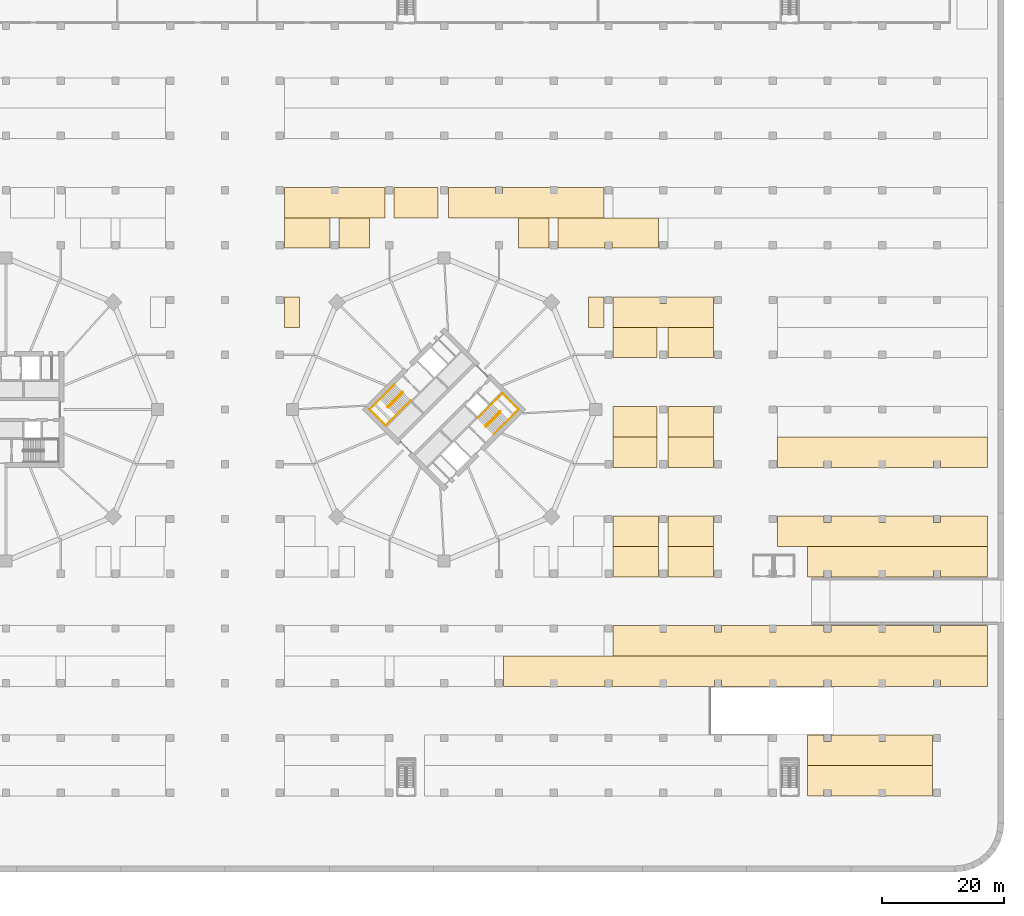
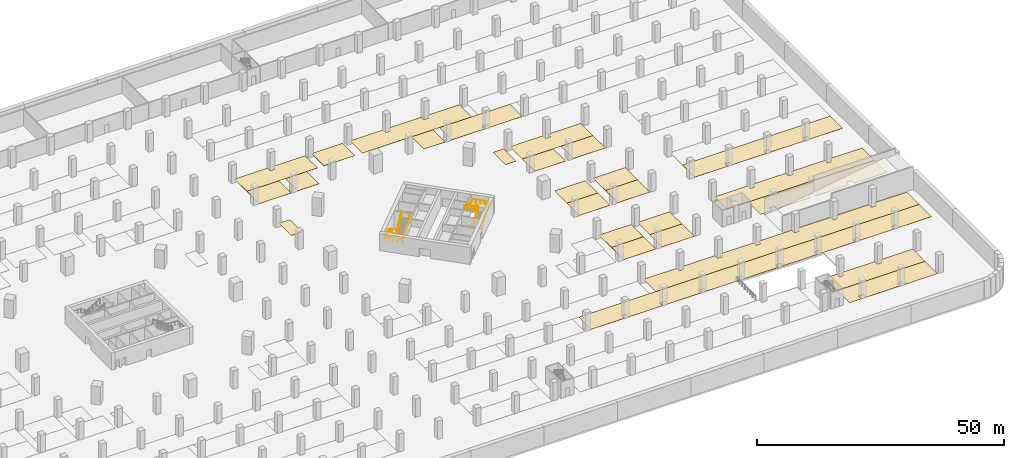
# One storey, part 29 of 34: 27 coverings, 4 railings.
"""IFC4 building model written with IfcOpenShell, lengths in metres."""

from ifc_helpers import new_model, si_unit, direction, frame, origin, origin_2d, place, context, subcontext, project, spatial, polyline, circle, outline, extrude, material, layer, layer_set, type_object, element, save


model = new_model("IFC4")

# Units and contexts
model_context = context("Model", 3, precision=1e-05, world=origin(), true_north=direction((0.0, 1.0)))
body_context = subcontext(model_context, "Body", "Model", "MODEL_VIEW")
ifc_project = project(units=[si_unit("LENGTHUNIT", "METRE"), si_unit("AREAUNIT", "SQUARE_METRE"), si_unit("VOLUMEUNIT", "CUBIC_METRE"), si_unit("PLANEANGLEUNIT", "RADIAN"), si_unit("MASSUNIT", "GRAM", prefix="KILO")], contexts=[model_context])

# Site, building, storey
site_placement = place(None, origin())
site = spatial("IfcSite", under=ifc_project, at=site_placement, CompositionType="ELEMENT")
building_placement = place(site_placement, origin())
building = spatial("IfcBuilding", under=site, at=building_placement, Name="Ogive Gate Towers", CompositionType="ELEMENT")
storey_placement = place(building_placement, frame((0.0, 0.0, -4.5)))
storey = spatial("IfcBuildingStorey", under=building, at=storey_placement, Name="B1", CompositionType="ELEMENT", Elevation=-4.5)

# Coverings
ifc_material_1 = material(Name="Painted floor marking")
ifc_layer_1 = layer(ifc_material_1, 0.02001953125)
ifc_layer_set_1 = layer_set([ifc_layer_1], Name="Accessible bay marking")
covering_type_1 = type_object("IfcCoveringType", Name="Accessible bay marking", PredefinedType="FLOORING", material=ifc_layer_set_1)
covering_1_placement = place(storey_placement, origin())
element("IfcCovering", 1, at=covering_1_placement, inside=storey, type_object=covering_type_1, Name="Accessible parking bays B1-076 to B1-077", PredefinedType="FLOORING", context=body_context, shape_type="SweptSolid", body=[
    extrude(outline(polyline([(70.949951171875, 13.5), (70.949951171875, 8.5), (63.75, 8.5), (63.75, 13.5), (70.949951171875, 13.5)])), origin(), (0.0, 0.0, 1.0), 0.02001953125),
])
covering_2_placement = place(storey_placement, origin())
element("IfcCovering", 2, at=covering_2_placement, inside=storey, type_object=covering_type_1, Name="Accessible parking bays B1-189 to B1-190", PredefinedType="FLOORING", context=body_context, shape_type="SweptSolid", body=[
    extrude(outline(polyline([(70.949951171875, -4.5), (70.949951171875, -9.5), (63.75, -9.5), (63.75, -4.5), (70.949951171875, -4.5)])), origin(), (0.0, 0.0, 1.0), 0.02001953125),
])
covering_3_placement = place(storey_placement, origin())
element("IfcCovering", 3, at=covering_3_placement, inside=storey, type_object=covering_type_1, Name="Accessible parking bays B1-454 to B1-455", PredefinedType="FLOORING", context=body_context, shape_type="SweptSolid", body=[
    extrude(outline(polyline([(70.949951171875, 0.5), (70.949951171875, -4.5), (63.75, -4.5), (63.75, 0.5), (70.949951171875, 0.5)])), origin(), (0.0, 0.0, 1.0), 0.02001953125),
])
covering_4_placement = place(storey_placement, origin())
element("IfcCovering", 4, at=covering_4_placement, inside=storey, type_object=covering_type_1, Name="Accessible parking bays B1-514 to B1-515", PredefinedType="FLOORING", context=body_context, shape_type="SweptSolid", body=[
    extrude(outline(polyline([(34.949951171875, 31.5), (27.75, 31.5), (27.75, 36.5), (34.949951171875, 36.5), (34.949951171875, 31.5)])), origin(), (0.0, 0.0, 1.0), 0.02001953125),
])
ifc_layer_2 = layer(ifc_material_1, 0.02001953125)
ifc_layer_set_2 = layer_set([ifc_layer_2], Name="Charging bay marking")
covering_type_2 = type_object("IfcCoveringType", Name="Charging bay marking", PredefinedType="FLOORING", material=ifc_layer_set_2)
covering_5_placement = place(storey_placement, origin())
element("IfcCovering", 5, at=covering_5_placement, inside=storey, type_object=covering_type_2, Name="Charging bays B1-028 to B1-030", PredefinedType="FLOORING", context=body_context, shape_type="SweptSolid", body=[
    extrude(outline(polyline([(17.25, 26.5), (9.75, 26.5), (9.75, 31.5), (17.25, 31.5), (17.25, 26.5)])), origin(), (0.0, 0.0, 1.0), 0.02001953125),
])
covering_6_placement = place(storey_placement, origin())
element("IfcCovering", 6, at=covering_6_placement, inside=storey, type_object=covering_type_2, Name="Charging bays B1-035 to B1-040", PredefinedType="FLOORING", context=body_context, shape_type="SweptSolid", body=[
    extrude(outline(polyline([(54.75, 31.5), (71.25, 31.5), (71.25, 26.5), (63.550048828125, 26.5), (63.550048828125, 27.550048828125), (62.449951171875, 27.550048828125), (62.449951171875, 26.5), (54.75, 26.5), (54.75, 31.5)])), origin(), (0.0, 0.0, 1.0), 0.02001953125),
])
covering_7_placement = place(storey_placement, origin())
element("IfcCovering", 7, at=covering_7_placement, inside=storey, type_object=covering_type_2, Name="Charging bays B1-078 to B1-080", PredefinedType="FLOORING", context=body_context, shape_type="SweptSolid", body=[
    extrude(outline(polyline([(80.25, 13.5), (80.25, 8.5), (72.75, 8.5), (72.75, 13.5), (80.25, 13.5)])), origin(), (0.0, 0.0, 1.0), 0.02001953125),
])
covering_8_placement = place(storey_placement, origin())
element("IfcCovering", 8, at=covering_8_placement, inside=storey, type_object=covering_type_2, Name="Charging bays B1-191 to B1-193", PredefinedType="FLOORING", context=body_context, shape_type="SweptSolid", body=[
    extrude(outline(polyline([(80.25, -4.5), (80.25, -9.5), (72.75, -9.5), (72.75, -4.5), (80.25, -4.5)])), origin(), (0.0, 0.0, 1.0), 0.02001953125),
])
covering_9_placement = place(storey_placement, origin())
element("IfcCovering", 9, at=covering_9_placement, inside=storey, type_object=covering_type_2, Name="Charging bays B1-236 to B1-238", PredefinedType="FLOORING", context=body_context, shape_type="SweptSolid", body=[
    extrude(outline(polyline([(71.25, -22.5), (71.25, -27.5), (63.75, -27.5), (63.75, -22.5), (71.25, -22.5)])), origin(), (0.0, 0.0, 1.0), 0.02001953125),
])
covering_10_placement = place(storey_placement, origin())
element("IfcCovering", 10, at=covering_10_placement, inside=storey, type_object=covering_type_2, Name="Charging bays B1-419 to B1-424", PredefinedType="FLOORING", context=body_context, shape_type="SweptSolid", body=[
    extrude(outline(polyline([(63.75, 18.5), (71.449951171875, 18.5), (71.449951171875, 17.449951171875), (72.550048828125, 17.449951171875), (72.550048828125, 18.5), (80.25, 18.5), (80.25, 13.5), (63.75, 13.5), (63.75, 18.5)])), origin(), (0.0, 0.0, 1.0), 0.02001953125),
])
covering_11_placement = place(storey_placement, origin())
element("IfcCovering", 11, at=covering_11_placement, inside=storey, type_object=covering_type_2, Name="Charging bays B1-456 to B1-458", PredefinedType="FLOORING", context=body_context, shape_type="SweptSolid", body=[
    extrude(outline(polyline([(80.25, 0.5), (80.25, -4.5), (72.75, -4.5), (72.75, 0.5), (80.25, 0.5)])), origin(), (0.0, 0.0, 1.0), 0.02001953125),
])
covering_12_placement = place(storey_placement, origin())
element("IfcCovering", 12, at=covering_12_placement, inside=storey, type_object=covering_type_2, Name="Charging bays B1-508 to B1-513", PredefinedType="FLOORING", context=body_context, shape_type="SweptSolid", body=[
    extrude(outline(polyline([(9.75, 36.5), (17.449951171875, 36.5), (17.449951171875, 35.449951171875), (18.550048828125, 35.449951171875), (18.550048828125, 36.5), (26.25, 36.5), (26.25, 31.5), (9.75, 31.5), (9.75, 36.5)])), origin(), (0.0, 0.0, 1.0), 0.02001953125),
])
covering_13_placement = place(storey_placement, origin())
element("IfcCovering", 13, at=covering_13_placement, inside=storey, type_object=covering_type_2, Name="Charging bays B1-516 to B1-524", PredefinedType="FLOORING", context=body_context, shape_type="SweptSolid", body=[
    extrude(outline(polyline([(36.75, 36.5), (44.449951171875, 36.5), (44.449951171875, 35.449951171875), (45.550048828125, 35.449951171875), (45.550048828125, 36.5), (53.449951171875, 36.5), (53.449951171875, 35.449951171875), (54.550048828125, 35.449951171875), (54.550048828125, 36.5), (62.25, 36.5), (62.25, 31.5), (36.75, 31.5), (36.75, 36.5)])), origin(), (0.0, 0.0, 1.0), 0.02001953125),
])
covering_14_placement = place(storey_placement, origin())
element("IfcCovering", 14, at=covering_14_placement, inside=storey, type_object=covering_type_2, Name="Charging bays B1-647 to B1-649", PredefinedType="FLOORING", context=body_context, shape_type="SweptSolid", body=[
    extrude(outline(polyline([(71.25, -17.5), (71.25, -22.5), (63.75, -22.5), (63.75, -17.5), (71.25, -17.5)])), origin(), (0.0, 0.0, 1.0), 0.02001953125),
])
ifc_layer_3 = layer(ifc_material_1, 0.02001953125)
ifc_layer_set_3 = layer_set([ifc_layer_3], Name="Parking bay marking")
covering_type_3 = type_object("IfcCoveringType", Name="Parking bay marking", PredefinedType="FLOORING", material=ifc_layer_set_3)
covering_15_placement = place(storey_placement, origin())
element("IfcCovering", 15, at=covering_15_placement, inside=storey, type_object=covering_type_3, Name="Parking bays B1-031 to B1-032", PredefinedType="FLOORING", context=body_context, shape_type="SweptSolid", body=[
    extrude(outline(polyline([(18.75, 31.5), (23.75, 31.5), (23.75, 26.5), (18.75, 26.5), (18.75, 31.5)])), origin(), (0.0, 0.0, 1.0), 0.02001953125),
])
covering_16_placement = place(storey_placement, origin())
element("IfcCovering", 16, at=covering_16_placement, inside=storey, type_object=covering_type_3, Name="Parking bays B1-033 to B1-034", PredefinedType="FLOORING", context=body_context, shape_type="SweptSolid", body=[
    extrude(outline(polyline([(48.25, 26.5), (48.25, 31.5), (53.25, 31.5), (53.25, 26.5), (48.25, 26.5)])), origin(), (0.0, 0.0, 1.0), 0.02001953125),
])
covering_17_placement = place(storey_placement, origin())
element("IfcCovering", 17, at=covering_17_placement, inside=storey, type_object=covering_type_3, Name="Parking bays B1-194 to B1-205", PredefinedType="FLOORING", context=body_context, shape_type="SweptSolid", body=[
    extrude(outline(polyline([(90.75, -4.5), (125.25, -4.5), (125.25, -9.5), (117.550048828125, -9.5), (117.550048828125, -8.449951171875), (116.449951171875, -8.449951171875), (116.449951171875, -9.5), (108.550048828125, -9.5), (108.550048828125, -8.449951171875), (107.449951171875, -8.449951171875), (107.449951171875, -9.5), (99.550048828125, -9.5), (99.550048828125, -8.449951171875), (98.449951171875, -8.449951171875), (98.449951171875, -9.5), (90.75, -9.5), (90.75, -4.5)])), origin(), (0.0, 0.0, 1.0), 0.02001953125),
])
covering_18_placement = place(storey_placement, origin())
element("IfcCovering", 18, at=covering_18_placement, inside=storey, type_object=covering_type_3, Name="Parking bays B1-239 to B1-241", PredefinedType="FLOORING", context=body_context, shape_type="SweptSolid", body=[
    extrude(outline(polyline([(80.25, -27.5), (72.75, -27.5), (72.75, -22.5), (80.25, -22.5), (80.25, -27.5)])), origin(), (0.0, 0.0, 1.0), 0.02001953125),
])
covering_19_placement = place(storey_placement, origin())
element("IfcCovering", 19, at=covering_19_placement, inside=storey, type_object=covering_type_3, Name="Parking bays B1-242 to B1-251", PredefinedType="FLOORING", context=body_context, shape_type="SweptSolid", body=[
    extrude(outline(polyline([(95.75, -22.5), (125.25, -22.5), (125.25, -27.5), (117.550048828125, -27.5), (117.550048828125, -26.449951171875), (116.449951171875, -26.449951171875), (116.449951171875, -27.5), (108.550048828125, -27.5), (108.550048828125, -26.449951171875), (107.449951171875, -26.449951171875), (107.449951171875, -27.5), (99.550048828125, -27.5), (99.550048828125, -26.449951171875), (98.449951171875, -26.449951171875), (98.449951171875, -27.5), (95.75, -27.5), (95.75, -22.5)])), origin(), (0.0, 0.0, 1.0), 0.02001953125),
])
covering_20_placement = place(storey_placement, origin())
element("IfcCovering", 20, at=covering_20_placement, inside=storey, type_object=covering_type_3, Name="Parking bays B1-303 to B1-329", PredefinedType="FLOORING", context=body_context, shape_type="SweptSolid", body=[
    extrude(outline(polyline([(45.75, -40.5), (125.25, -40.5), (125.25, -45.5), (117.550048828125, -45.5), (117.550048828125, -44.449951171875), (116.449951171875, -44.449951171875), (116.449951171875, -45.5), (108.550048828125, -45.5), (108.550048828125, -44.449951171875), (107.449951171875, -44.449951171875), (107.449951171875, -45.5), (99.550048828125, -45.5), (99.550048828125, -44.449951171875), (98.449951171875, -44.449951171875), (98.449951171875, -45.5), (90.550048828125, -45.5), (90.550048828125, -44.449951171875), (89.449951171875, -44.449951171875), (89.449951171875, -45.5), (81.550048828125, -45.5), (81.550048828125, -44.449951171875), (80.449951171875, -44.449951171875), (80.449951171875, -45.5), (72.550048828125, -45.5), (72.550048828125, -44.449951171875), (71.449951171875, -44.449951171875), (71.449951171875, -45.5), (63.550048828125, -45.5), (63.550048828125, -44.449951171875), (62.449951171875, -44.449951171875), (62.449951171875, -45.5), (54.550048828125, -45.5), (54.550048828125, -44.449951171875), (53.449951171875, -44.449951171875), (53.449951171875, -45.5), (45.75, -45.5), (45.75, -40.5)])), origin(), (0.0, 0.0, 1.0), 0.02001953125),
])
covering_21_placement = place(storey_placement, origin())
element("IfcCovering", 21, at=covering_21_placement, inside=storey, type_object=covering_type_3, Name="Parking bays B1-390 to B1-396", PredefinedType="FLOORING", context=body_context, shape_type="SweptSolid", body=[
    extrude(outline(polyline([(116.25, -58.5), (116.25, -63.5), (108.550048828125, -63.5), (108.550048828125, -62.449951171875), (107.449951171875, -62.449951171875), (107.449951171875, -63.5), (99.550048828125, -63.5), (99.550048828125, -62.449951171875), (98.449951171875, -62.449951171875), (98.449951171875, -63.5), (95.75, -63.5), (95.75, -58.5), (116.25, -58.5)])), origin(), (0.0, 0.0, 1.0), 0.02001953125),
])
covering_22_placement = place(storey_placement, origin())
element("IfcCovering", 22, at=covering_22_placement, inside=storey, type_object=covering_type_3, Name="Parking bay B1-417", PredefinedType="FLOORING", context=body_context, shape_type="SweptSolid", body=[
    extrude(outline(polyline([(9.75, 13.5), (9.75, 18.5), (12.25, 18.5), (12.25, 13.5), (9.75, 13.5)])), origin(), (0.0, 0.0, 1.0), 0.02001953125),
])
covering_23_placement = place(storey_placement, origin())
element("IfcCovering", 23, at=covering_23_placement, inside=storey, type_object=covering_type_3, Name="Parking bay B1-418", PredefinedType="FLOORING", context=body_context, shape_type="SweptSolid", body=[
    extrude(outline(polyline([(59.75, 18.5), (62.25, 18.5), (62.25, 13.5), (59.75, 13.5), (59.75, 18.5)])), origin(), (0.0, 0.0, 1.0), 0.02001953125),
])
covering_24_placement = place(storey_placement, origin())
element("IfcCovering", 24, at=covering_24_placement, inside=storey, type_object=covering_type_3, Name="Parking bays B1-650 to B1-652", PredefinedType="FLOORING", context=body_context, shape_type="SweptSolid", body=[
    extrude(outline(polyline([(72.75, -17.5), (80.25, -17.5), (80.25, -22.5), (72.75, -22.5), (72.75, -17.5)])), origin(), (0.0, 0.0, 1.0), 0.02001953125),
])
covering_25_placement = place(storey_placement, origin())
element("IfcCovering", 25, at=covering_25_placement, inside=storey, type_object=covering_type_3, Name="Parking bays B1-653 to B1-664", PredefinedType="FLOORING", context=body_context, shape_type="SweptSolid", body=[
    extrude(outline(polyline([(90.75, -17.5), (98.449951171875, -17.5), (98.449951171875, -18.550048828125), (99.550048828125, -18.550048828125), (99.550048828125, -17.5), (107.449951171875, -17.5), (107.449951171875, -18.550048828125), (108.550048828125, -18.550048828125), (108.550048828125, -17.5), (116.449951171875, -17.5), (116.449951171875, -18.550048828125), (117.550048828125, -18.550048828125), (117.550048828125, -17.5), (125.25, -17.5), (125.25, -22.5), (90.75, -22.5), (90.75, -17.5)])), origin(), (0.0, 0.0, 1.0), 0.02001953125),
])
covering_26_placement = place(storey_placement, origin())
element("IfcCovering", 26, at=covering_26_placement, inside=storey, type_object=covering_type_3, Name="Parking bays B1-722 to B1-742", PredefinedType="FLOORING", context=body_context, shape_type="SweptSolid", body=[
    extrude(outline(polyline([(63.75, -35.5), (71.449951171875, -35.5), (71.449951171875, -36.550048828125), (72.550048828125, -36.550048828125), (72.550048828125, -35.5), (80.449951171875, -35.5), (80.449951171875, -36.550048828125), (81.550048828125, -36.550048828125), (81.550048828125, -35.5), (89.449951171875, -35.5), (89.449951171875, -36.550048828125), (90.550048828125, -36.550048828125), (90.550048828125, -35.5), (98.449951171875, -35.5), (98.449951171875, -36.550048828125), (99.550048828125, -36.550048828125), (99.550048828125, -35.5), (107.449951171875, -35.5), (107.449951171875, -36.550048828125), (108.550048828125, -36.550048828125), (108.550048828125, -35.5), (116.449951171875, -35.5), (116.449951171875, -36.550048828125), (117.550048828125, -36.550048828125), (117.550048828125, -35.5), (125.25, -35.5), (125.25, -40.5), (63.75, -40.5), (63.75, -35.5)])), origin(), (0.0, 0.0, 1.0), 0.02001953125),
])
covering_27_placement = place(storey_placement, origin())
element("IfcCovering", 27, at=covering_27_placement, inside=storey, type_object=covering_type_3, Name="Parking bays B1-803 to B1-809", PredefinedType="FLOORING", context=body_context, shape_type="SweptSolid", body=[
    extrude(outline(polyline([(98.449951171875, -53.5), (98.449951171875, -54.550048828125), (99.550048828125, -54.550048828125), (99.550048828125, -53.5), (107.449951171875, -53.5), (107.449951171875, -54.550048828125), (108.550048828125, -54.550048828125), (108.550048828125, -53.5), (116.25, -53.5), (116.25, -58.5), (95.75, -58.5), (95.75, -53.5), (98.449951171875, -53.5)])), origin(), (0.0, 0.0, 1.0), 0.02001953125),
])

# Railings
ifc_material_2 = material(Name="Stainless steel", Category="steel")
railing_type_1 = type_object("IfcRailingType", Name="Stair guard 1100", PredefinedType="GUARDRAIL", material=ifc_material_2)
railing_1_placement = place(storey_placement, frame((29.15869140625, 2.8603515625, 0.0)))
element("IfcRailing", 28, at=railing_1_placement, inside=storey, type_object=railing_type_1, Name="B1 ST1 stair guard 1", PredefinedType="GUARDRAIL", context=body_context, shape_type="SweptSolid", body=[
    extrude(circle(Radius=0.02392578125, at=origin_2d()), frame((0.0, 0.0, 1.076171875), z_axis=(0.707106781187, -0.707106781187, 0.0), x_axis=(0.707106781187, 0.707106781187, 0.0)), (0.0, 0.0, 1.0), 0.14501953125),
    extrude(circle(Radius=0.02392578125, at=origin_2d()), frame((0.1025390625, -0.1025390625, 1.076171875), z_axis=(-0.652200646096, 0.386352992046, 0.652200646096), x_axis=(-0.509669330572, -0.860370369942, 0.0)), (0.0, 0.0, 1.0), 0.265380859375),
    extrude(circle(Radius=0.02392578125, at=origin_2d()), frame((-0.070556640625, 0.0, 1.2490234375), z_axis=(-0.601482971545, -0.601482971545, 0.525772260474), x_axis=(0.707106781187, -0.707106781187, 0.0)), (0.0, 0.0, 1.0), 3.9501953125),
    extrude(circle(Radius=0.02392578125, at=origin_2d()), frame((-2.446533203125, -2.3759765625, 3.326171875), z_axis=(0.0, -1.0, 0.0), x_axis=(1.0, 0.0, 0.0)), (0.0, 0.0, 1.0), 0.07080078125),
    extrude(circle(Radius=0.02392578125, at=origin_2d()), frame((-2.446533203125, -2.44677734375, 3.326171875), z_axis=(0.707106781187, -0.707106781187, 0.0), x_axis=(0.707106781187, 0.707106781187, 0.0)), (0.0, 0.0, 1.0), 0.14501953125),
    extrude(circle(Radius=0.02392578125, at=origin_2d()), frame((-2.343994140625, -2.54931640625, 3.326171875), z_axis=(0.378582013265, 0.0, 0.925567749672), x_axis=(0.0, 1.0, 0.0)), (0.0, 0.0, 1.0), 0.18701171875),
    extrude(circle(Radius=0.02392578125, at=origin_2d()), frame((-2.273193359375, -2.54931640625, 3.4990234375), z_axis=(0.601443524483, 0.601505331442, 0.525791805855), x_axis=(-0.707143111075, 0.707070449432, 0.0)), (0.0, 0.0, 1.0), 3.949951171875),
    extrude(circle(Radius=0.02099609375, at=origin_2d()), origin(), (0.0, 0.0, 1.0), 1.052001953125),
    extrude(circle(Radius=0.02099609375, at=origin_2d()), frame((0.1025390625, -0.1025390625, 0.0)), (0.0, 0.0, 1.0), 1.052001953125),
    extrude(circle(Radius=0.02099609375, at=origin_2d()), frame((-0.070556640625, 0.0, 0.173095703125)), (0.0, 0.0, 1.0), 1.052001953125),
    extrude(circle(Radius=0.02099609375, at=origin_2d()), frame((-0.66455078125, -0.593994140625, 0.6923828125)), (0.0, 0.0, 1.0), 1.052001953125),
    extrude(circle(Radius=0.02099609375, at=origin_2d()), frame((-1.258544921875, -1.18798828125, 1.21142578125)), (0.0, 0.0, 1.0), 1.052001953125),
    extrude(circle(Radius=0.02099609375, at=origin_2d()), frame((-1.8525390625, -1.781982421875, 1.730712890625)), (0.0, 0.0, 1.0), 1.052001953125),
    extrude(circle(Radius=0.02099609375, at=origin_2d()), frame((-2.446533203125, -2.3759765625, 2.25)), (0.0, 0.0, 1.0), 1.052001953125),
    extrude(circle(Radius=0.02099609375, at=origin_2d()), frame((-2.446533203125, -2.44677734375, 2.25)), (0.0, 0.0, 1.0), 1.052001953125),
    extrude(circle(Radius=0.02099609375, at=origin_2d()), frame((-2.343994140625, -2.54931640625, 2.25)), (0.0, 0.0, 1.0), 1.052001953125),
    extrude(circle(Radius=0.02099609375, at=origin_2d()), frame((-2.273193359375, -2.54931640625, 2.423095703125)), (0.0, 0.0, 1.0), 1.052001953125),
    extrude(circle(Radius=0.02099609375, at=origin_2d()), frame((-1.67919921875, -1.955322265625, 2.9423828125)), (0.0, 0.0, 1.0), 1.052001953125),
    extrude(circle(Radius=0.02099609375, at=origin_2d()), frame((-1.08544921875, -1.361328125, 3.46142578125)), (0.0, 0.0, 1.0), 1.052001953125),
    extrude(circle(Radius=0.02099609375, at=origin_2d()), frame((-0.491455078125, -0.767333984375, 3.980712890625)), (0.0, 0.0, 1.0), 1.052001953125),
    extrude(circle(Radius=0.02099609375, at=origin_2d()), frame((0.1025390625, -0.17333984375, 4.5)), (0.0, 0.0, 1.0), 1.052001953125),
])
railing_2_placement = place(storey_placement, frame((42.84130859375, -2.8603515625, 0.0)))
element("IfcRailing", 29, at=railing_2_placement, inside=storey, type_object=railing_type_1, Name="B1 ST2 stair guard 1", PredefinedType="GUARDRAIL", context=body_context, shape_type="SweptSolid", body=[
    extrude(circle(Radius=0.02392578125, at=origin_2d()), frame((0.0, 0.0, 1.076171875), z_axis=(-0.707106781187, 0.707106781187, 0.0), x_axis=(-0.707106781187, -0.707106781187, 0.0)), (0.0, 0.0, 1.0), 0.14501953125),
    extrude(circle(Radius=0.02392578125, at=origin_2d()), frame((-0.1025390625, 0.1025390625, 1.076171875), z_axis=(0.652200646096, -0.386352992046, 0.652200646096), x_axis=(0.509669330572, 0.860370369942, 0.0)), (0.0, 0.0, 1.0), 0.265380859375),
    extrude(circle(Radius=0.02392578125, at=origin_2d()), frame((0.070556640625, 0.0, 1.2490234375), z_axis=(0.601482971545, 0.601482971545, 0.525772260474), x_axis=(-0.707106781187, 0.707106781187, 0.0)), (0.0, 0.0, 1.0), 3.9501953125),
    extrude(circle(Radius=0.02392578125, at=origin_2d()), frame((2.446533203125, 2.3759765625, 3.326171875), z_axis=(0.0, 1.0, 0.0), x_axis=(-1.0, 0.0, 0.0)), (0.0, 0.0, 1.0), 0.07080078125),
    extrude(circle(Radius=0.02392578125, at=origin_2d()), frame((2.446533203125, 2.44677734375, 3.326171875), z_axis=(-0.707106781187, 0.707106781187, 0.0), x_axis=(-0.707106781187, -0.707106781187, 0.0)), (0.0, 0.0, 1.0), 0.14501953125),
    extrude(circle(Radius=0.02392578125, at=origin_2d()), frame((2.343994140625, 2.54931640625, 3.326171875), z_axis=(-0.378582013265, 0.0, 0.925567749672), x_axis=(0.0, -1.0, 0.0)), (0.0, 0.0, 1.0), 0.18701171875),
    extrude(circle(Radius=0.02392578125, at=origin_2d()), frame((2.273193359375, 2.54931640625, 3.4990234375), z_axis=(-0.601443524483, -0.601505331442, 0.525791805855), x_axis=(0.707143111075, -0.707070449432, 0.0)), (0.0, 0.0, 1.0), 3.949951171875),
    extrude(circle(Radius=0.02099609375, at=origin_2d()), origin(), (0.0, 0.0, 1.0), 1.052001953125),
    extrude(circle(Radius=0.02099609375, at=origin_2d()), frame((-0.1025390625, 0.1025390625, 0.0)), (0.0, 0.0, 1.0), 1.052001953125),
    extrude(circle(Radius=0.02099609375, at=origin_2d()), frame((0.070556640625, 0.0, 0.173095703125)), (0.0, 0.0, 1.0), 1.052001953125),
    extrude(circle(Radius=0.02099609375, at=origin_2d()), frame((0.66455078125, 0.593994140625, 0.6923828125)), (0.0, 0.0, 1.0), 1.052001953125),
    extrude(circle(Radius=0.02099609375, at=origin_2d()), frame((1.258544921875, 1.18798828125, 1.21142578125)), (0.0, 0.0, 1.0), 1.052001953125),
    extrude(circle(Radius=0.02099609375, at=origin_2d()), frame((1.8525390625, 1.781982421875, 1.730712890625)), (0.0, 0.0, 1.0), 1.052001953125),
    extrude(circle(Radius=0.02099609375, at=origin_2d()), frame((2.446533203125, 2.3759765625, 2.25)), (0.0, 0.0, 1.0), 1.052001953125),
    extrude(circle(Radius=0.02099609375, at=origin_2d()), frame((2.446533203125, 2.44677734375, 2.25)), (0.0, 0.0, 1.0), 1.052001953125),
    extrude(circle(Radius=0.02099609375, at=origin_2d()), frame((2.343994140625, 2.54931640625, 2.25)), (0.0, 0.0, 1.0), 1.052001953125),
    extrude(circle(Radius=0.02099609375, at=origin_2d()), frame((2.273193359375, 2.54931640625, 2.423095703125)), (0.0, 0.0, 1.0), 1.052001953125),
    extrude(circle(Radius=0.02099609375, at=origin_2d()), frame((1.67919921875, 1.955322265625, 2.9423828125)), (0.0, 0.0, 1.0), 1.052001953125),
    extrude(circle(Radius=0.02099609375, at=origin_2d()), frame((1.08544921875, 1.361328125, 3.46142578125)), (0.0, 0.0, 1.0), 1.052001953125),
    extrude(circle(Radius=0.02099609375, at=origin_2d()), frame((0.491455078125, 0.767333984375, 3.980712890625)), (0.0, 0.0, 1.0), 1.052001953125),
    extrude(circle(Radius=0.02099609375, at=origin_2d()), frame((-0.1025390625, 0.17333984375, 4.5)), (0.0, 0.0, 1.0), 1.052001953125),
])
railing_type_2 = type_object("IfcRailingType", Name="Stair handrail 900", PredefinedType="HANDRAIL", material=ifc_material_2)
railing_3_placement = place(storey_placement, frame((27.857666015625, 4.090576171875, 0.173095703125)))
element("IfcRailing", 30, at=railing_3_placement, inside=storey, type_object=railing_type_2, Name="B1 ST1 stair handrail 1", PredefinedType="HANDRAIL", context=body_context, shape_type="SweptSolid", body=[
    extrude(circle(Radius=0.02392578125, at=origin_2d()), frame((0.0, 0.0, 0.8759765625), z_axis=(-0.601505331442, -0.601443524483, 0.525791805855), x_axis=(0.707070449432, -0.707143111075, 0.0)), (0.0, 0.0, 1.0), 3.949951171875),
    extrude(circle(Radius=0.02392578125, at=origin_2d()), frame((-2.3759765625, -2.375732421875, 2.95263671875), z_axis=(-0.707056440762, -0.707157118028, 0.0), x_axis=(0.707157118028, -0.707056440762, 0.0)), (0.0, 0.0, 1.0), 2.425048828125),
    extrude(circle(Radius=0.02392578125, at=origin_2d()), frame((-4.090576171875, -4.090576171875, 2.95263671875), z_axis=(0.707106781187, -0.707106781187, 0.0), x_axis=(0.707106781187, 0.707106781187, 0.0)), (0.0, 0.0, 1.0), 3.72509765625),
    extrude(circle(Radius=0.02392578125, at=origin_2d()), frame((-1.45654296875, -6.724609375, 2.95263671875), z_axis=(0.705262022589, 0.705362444349, 0.071199028053), x_axis=(-0.707157118028, 0.707056440762, 0.0)), (0.0, 0.0, 1.0), 2.43115234375),
    extrude(circle(Radius=0.02392578125, at=origin_2d()), frame((0.258056640625, -5.009765625, 3.1259765625), z_axis=(0.601505331442, 0.601443524483, 0.525791805855), x_axis=(-0.707070449432, 0.707143111075, 0.0)), (0.0, 0.0, 1.0), 3.949951171875),
    extrude(circle(Radius=0.02099609375, at=origin_2d()), origin(), (0.0, 0.0, 1.0), 0.851806640625),
    extrude(circle(Radius=0.02099609375, at=origin_2d()), frame((-0.593994140625, -0.593994140625, 0.519287109375)), (0.0, 0.0, 1.0), 0.851806640625),
    extrude(circle(Radius=0.02099609375, at=origin_2d()), frame((-1.18798828125, -1.18798828125, 1.03857421875)), (0.0, 0.0, 1.0), 0.851806640625),
    extrude(circle(Radius=0.02099609375, at=origin_2d()), frame((-1.781982421875, -1.78173828125, 1.5576171875)), (0.0, 0.0, 1.0), 0.851806640625),
    extrude(circle(Radius=0.02099609375, at=origin_2d()), frame((-2.3759765625, -2.375732421875, 2.076904296875)), (0.0, 0.0, 1.0), 0.851806640625),
    extrude(circle(Radius=0.02099609375, at=origin_2d()), frame((-2.947509765625, -2.947265625, 2.076904296875)), (0.0, 0.0, 1.0), 0.851806640625),
    extrude(circle(Radius=0.02099609375, at=origin_2d()), frame((-3.51904296875, -3.51904296875, 2.076904296875)), (0.0, 0.0, 1.0), 0.851806640625),
    extrude(circle(Radius=0.02099609375, at=origin_2d()), frame((-4.090576171875, -4.090576171875, 2.076904296875)), (0.0, 0.0, 1.0), 0.851806640625),
    extrude(circle(Radius=0.02099609375, at=origin_2d()), frame((-3.43212890625, -4.7490234375, 2.076904296875)), (0.0, 0.0, 1.0), 0.851806640625),
    extrude(circle(Radius=0.02099609375, at=origin_2d()), frame((-2.7734375, -5.40771484375, 2.076904296875)), (0.0, 0.0, 1.0), 0.851806640625),
    extrude(circle(Radius=0.02099609375, at=origin_2d()), frame((-2.114990234375, -6.066162109375, 2.076904296875)), (0.0, 0.0, 1.0), 0.851806640625),
    extrude(circle(Radius=0.02099609375, at=origin_2d()), frame((-1.45654296875, -6.724609375, 2.076904296875)), (0.0, 0.0, 1.0), 0.851806640625),
    extrude(circle(Radius=0.02099609375, at=origin_2d()), frame((-0.885009765625, -6.153076171875, 2.134521484375)), (0.0, 0.0, 1.0), 0.851806640625),
    extrude(circle(Radius=0.02099609375, at=origin_2d()), frame((-0.3134765625, -5.581298828125, 2.1923828125)), (0.0, 0.0, 1.0), 0.851806640625),
    extrude(circle(Radius=0.02099609375, at=origin_2d()), frame((0.258056640625, -5.009765625, 2.25)), (0.0, 0.0, 1.0), 0.851806640625),
    extrude(circle(Radius=0.02099609375, at=origin_2d()), frame((0.85205078125, -4.415771484375, 2.769287109375)), (0.0, 0.0, 1.0), 0.851806640625),
    extrude(circle(Radius=0.02099609375, at=origin_2d()), frame((1.446044921875, -3.82177734375, 3.28857421875)), (0.0, 0.0, 1.0), 0.851806640625),
    extrude(circle(Radius=0.02099609375, at=origin_2d()), frame((2.0400390625, -3.22802734375, 3.8076171875)), (0.0, 0.0, 1.0), 0.851806640625),
    extrude(circle(Radius=0.02099609375, at=origin_2d()), frame((2.634033203125, -2.634033203125, 4.326904296875)), (0.0, 0.0, 1.0), 0.851806640625),
])
railing_4_placement = place(storey_placement, frame((44.142333984375, -4.090576171875, 0.173095703125)))
element("IfcRailing", 31, at=railing_4_placement, inside=storey, type_object=railing_type_2, Name="B1 ST2 stair handrail 1", PredefinedType="HANDRAIL", context=body_context, shape_type="SweptSolid", body=[
    extrude(circle(Radius=0.02392578125, at=origin_2d()), frame((0.0, 0.0, 0.8759765625), z_axis=(0.601505331442, 0.601443524483, 0.525791805855), x_axis=(-0.707070449432, 0.707143111075, 0.0)), (0.0, 0.0, 1.0), 3.949951171875),
    extrude(circle(Radius=0.02392578125, at=origin_2d()), frame((2.3759765625, 2.375732421875, 2.95263671875), z_axis=(0.707056440762, 0.707157118028, 0.0), x_axis=(-0.707157118028, 0.707056440762, 0.0)), (0.0, 0.0, 1.0), 2.425048828125),
    extrude(circle(Radius=0.02392578125, at=origin_2d()), frame((4.090576171875, 4.090576171875, 2.95263671875), z_axis=(-0.707106781187, 0.707106781187, 0.0), x_axis=(-0.707106781187, -0.707106781187, 0.0)), (0.0, 0.0, 1.0), 3.72509765625),
    extrude(circle(Radius=0.02392578125, at=origin_2d()), frame((1.45654296875, 6.724609375, 2.95263671875), z_axis=(-0.705262022589, -0.705362444349, 0.071199028053), x_axis=(0.707157118028, -0.707056440762, 0.0)), (0.0, 0.0, 1.0), 2.43115234375),
    extrude(circle(Radius=0.02392578125, at=origin_2d()), frame((-0.258056640625, 5.009765625, 3.1259765625), z_axis=(-0.601505331442, -0.601443524483, 0.525791805855), x_axis=(0.707070449432, -0.707143111075, 0.0)), (0.0, 0.0, 1.0), 3.949951171875),
    extrude(circle(Radius=0.02099609375, at=origin_2d()), origin(), (0.0, 0.0, 1.0), 0.851806640625),
    extrude(circle(Radius=0.02099609375, at=origin_2d()), frame((0.593994140625, 0.593994140625, 0.519287109375)), (0.0, 0.0, 1.0), 0.851806640625),
    extrude(circle(Radius=0.02099609375, at=origin_2d()), frame((1.18798828125, 1.18798828125, 1.03857421875)), (0.0, 0.0, 1.0), 0.851806640625),
    extrude(circle(Radius=0.02099609375, at=origin_2d()), frame((1.781982421875, 1.78173828125, 1.5576171875)), (0.0, 0.0, 1.0), 0.851806640625),
    extrude(circle(Radius=0.02099609375, at=origin_2d()), frame((2.3759765625, 2.375732421875, 2.076904296875)), (0.0, 0.0, 1.0), 0.851806640625),
    extrude(circle(Radius=0.02099609375, at=origin_2d()), frame((2.947509765625, 2.947265625, 2.076904296875)), (0.0, 0.0, 1.0), 0.851806640625),
    extrude(circle(Radius=0.02099609375, at=origin_2d()), frame((3.51904296875, 3.51904296875, 2.076904296875)), (0.0, 0.0, 1.0), 0.851806640625),
    extrude(circle(Radius=0.02099609375, at=origin_2d()), frame((4.090576171875, 4.090576171875, 2.076904296875)), (0.0, 0.0, 1.0), 0.851806640625),
    extrude(circle(Radius=0.02099609375, at=origin_2d()), frame((3.43212890625, 4.7490234375, 2.076904296875)), (0.0, 0.0, 1.0), 0.851806640625),
    extrude(circle(Radius=0.02099609375, at=origin_2d()), frame((2.7734375, 5.40771484375, 2.076904296875)), (0.0, 0.0, 1.0), 0.851806640625),
    extrude(circle(Radius=0.02099609375, at=origin_2d()), frame((2.114990234375, 6.066162109375, 2.076904296875)), (0.0, 0.0, 1.0), 0.851806640625),
    extrude(circle(Radius=0.02099609375, at=origin_2d()), frame((1.45654296875, 6.724609375, 2.076904296875)), (0.0, 0.0, 1.0), 0.851806640625),
    extrude(circle(Radius=0.02099609375, at=origin_2d()), frame((0.885009765625, 6.153076171875, 2.134521484375)), (0.0, 0.0, 1.0), 0.851806640625),
    extrude(circle(Radius=0.02099609375, at=origin_2d()), frame((0.3134765625, 5.581298828125, 2.1923828125)), (0.0, 0.0, 1.0), 0.851806640625),
    extrude(circle(Radius=0.02099609375, at=origin_2d()), frame((-0.258056640625, 5.009765625, 2.25)), (0.0, 0.0, 1.0), 0.851806640625),
    extrude(circle(Radius=0.02099609375, at=origin_2d()), frame((-0.85205078125, 4.415771484375, 2.769287109375)), (0.0, 0.0, 1.0), 0.851806640625),
    extrude(circle(Radius=0.02099609375, at=origin_2d()), frame((-1.446044921875, 3.82177734375, 3.28857421875)), (0.0, 0.0, 1.0), 0.851806640625),
    extrude(circle(Radius=0.02099609375, at=origin_2d()), frame((-2.0400390625, 3.22802734375, 3.8076171875)), (0.0, 0.0, 1.0), 0.851806640625),
    extrude(circle(Radius=0.02099609375, at=origin_2d()), frame((-2.634033203125, 2.634033203125, 4.326904296875)), (0.0, 0.0, 1.0), 0.851806640625),
])

save(model, "model.ifc")
